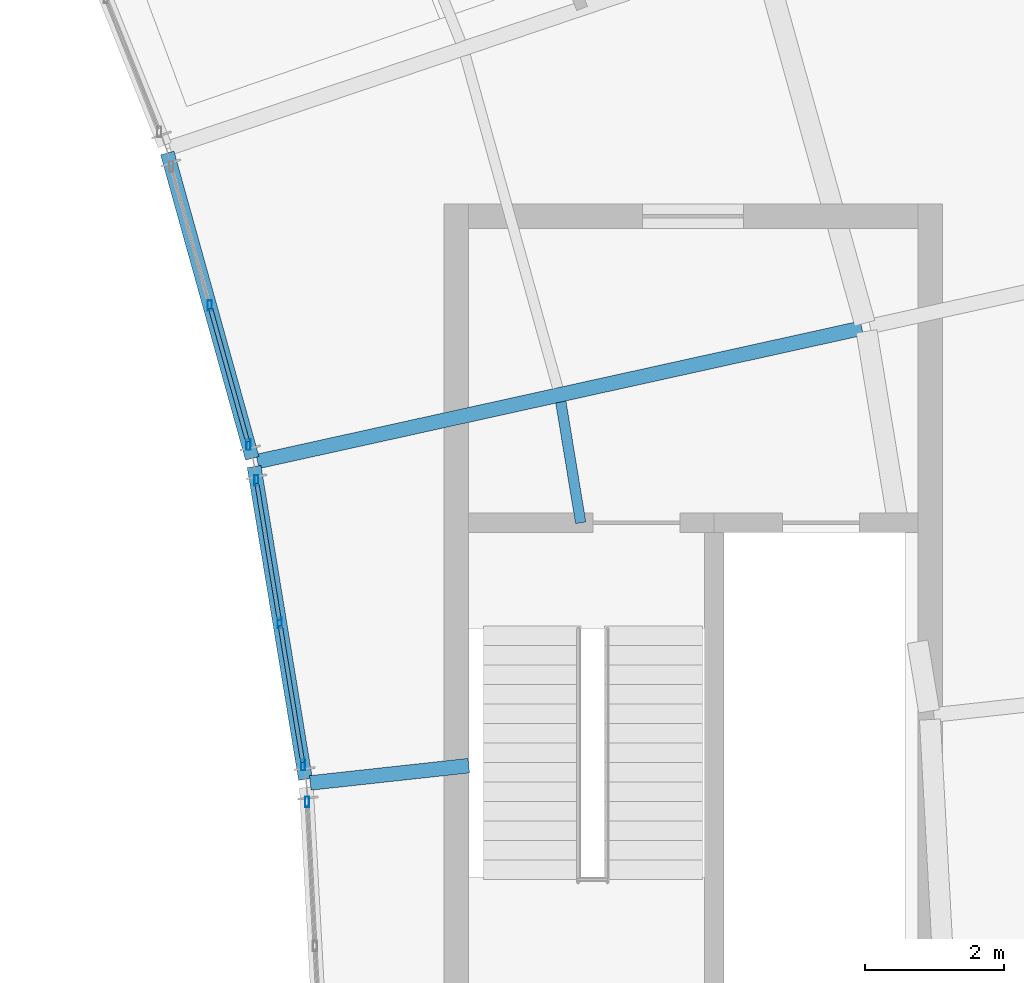
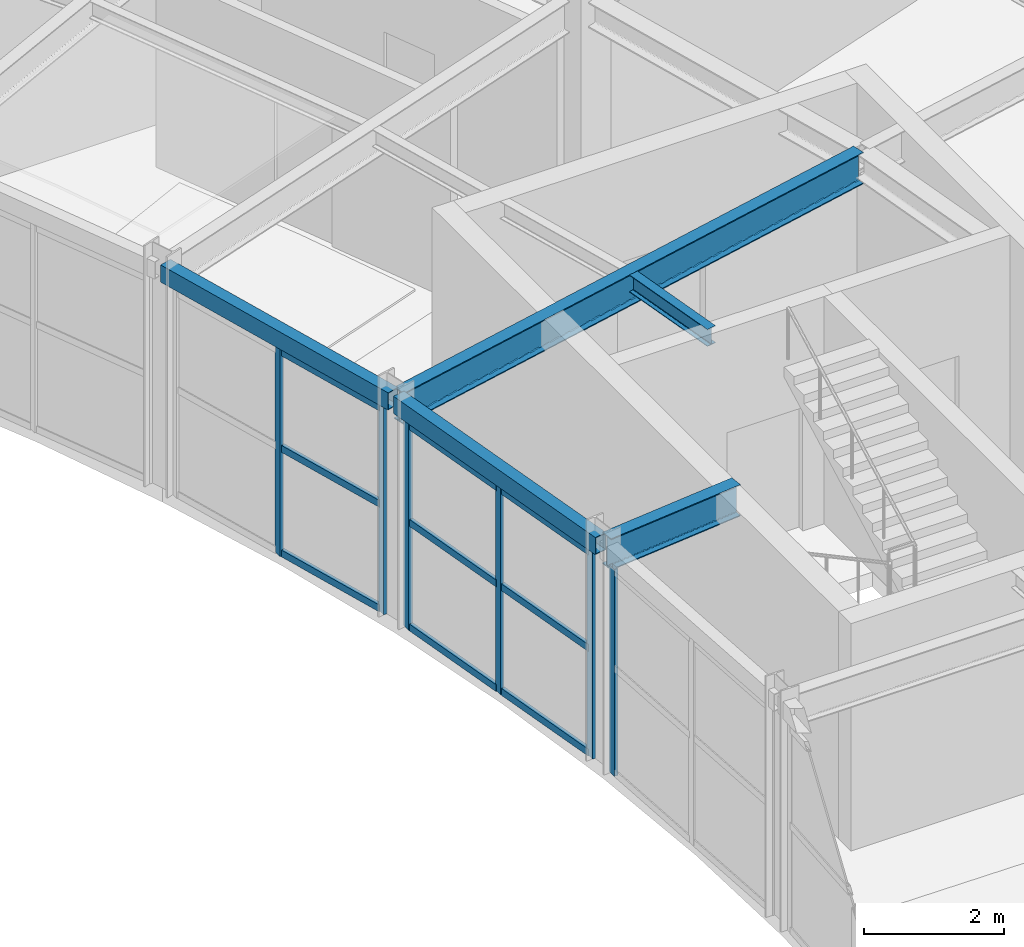
# One storey, part 31 of 63: 15 members, 5 beams, 3 elements without a shape of their own.
"""IFC4 building model written with IfcOpenShell, lengths in metres."""

from ifc_helpers import new_model, si_unit, direction, frame, origin, origin_2d, place, context, subcontext, project, spatial, hollow_rectangle, i_section, extrude, material, material_profile, profile_set, type_object, element, aggregate, save


model = new_model("IFC4")

# Units and contexts
model_context = context("Model", 3, precision=1e-05, world=origin(), true_north=direction((0.0, 1.0)))
body_context = subcontext(model_context, "Body", "Model", "MODEL_VIEW")
ifc_project = project(units=[si_unit("LENGTHUNIT", "METRE"), si_unit("AREAUNIT", "SQUARE_METRE"), si_unit("VOLUMEUNIT", "CUBIC_METRE"), si_unit("PLANEANGLEUNIT", "RADIAN"), si_unit("MASSUNIT", "GRAM", prefix="KILO")], contexts=[model_context])

# Site, building, storey
site_placement = place(None, origin())
site = spatial("IfcSite", under=ifc_project, at=site_placement, CompositionType="ELEMENT")
building_placement = place(site_placement, origin())
building = spatial("IfcBuilding", under=site, at=building_placement, Name="Tarnveldt Headland Concert Hall", CompositionType="ELEMENT")
storey_placement = place(building_placement, frame((0.0, 0.0, 14.39990234375)))
storey = spatial("IfcBuildingStorey", under=building, at=storey_placement, Name="L03", CompositionType="ELEMENT", Elevation=14.39990234375)

# Curtain wall, member
ifc_material_1 = material(Name="Marine-anodised aluminium EN AW-6063-T6", Category="aluminium")
curtain_wall_type = type_object("IfcCurtainWallType", Name="CW-C4", PredefinedType="NOTDEFINED", material=ifc_material_1)
curtain_wall_1_placement = place(storey_placement, origin())
curtain_wall_1 = element("IfcCurtainWall", 1, at=curtain_wall_1_placement, inside=storey, type_object=curtain_wall_type, Name="Curtain wall CW-L03-138", PredefinedType="NOTDEFINED")
ifc_material_profile_1 = material_profile(ifc_material_1, hollow_rectangle(XDim=0.06005859375, YDim=0.14990234375, WallThickness=0.00390625, at=origin_2d()), Name="ALU MULLION 60x150x4", Category="aluminium")
ifc_profile_set_1 = profile_set([ifc_material_profile_1], Name="Marine-anodised aluminium EN AW-6063-T6")
member_type_1 = type_object("IfcMemberType", Name="ML-150", PredefinedType="MULLION", material=ifc_profile_set_1)
member_1_placement = place(storey_placement, frame((160.260986328125, 64.39599609375, 0.0), z_axis=(0.0, 0.0, 1.0), x_axis=(1.0, 0.0, 0.0)))
member_1 = element("IfcMember", 2, at=member_1_placement, type_object=member_type_1, Name="Mullion CW-L03-138-3", PredefinedType="MULLION", context=body_context, shape_type="SweptSolid", body=[
    extrude(hollow_rectangle(XDim=0.06005859375, YDim=0.14990234375, WallThickness=0.00390625, at=origin_2d()), origin(), (0.0, 0.0, 1.0), 3.60009765625),
])
aggregate(curtain_wall_1, [member_1])

# Curtain wall, members
curtain_wall_2_placement = place(storey_placement, origin())
curtain_wall_2 = element("IfcCurtainWall", 3, at=curtain_wall_2_placement, inside=storey, type_object=curtain_wall_type, Name="Curtain wall CW-L03-139", PredefinedType="NOTDEFINED")
member_2_placement = place(storey_placement, frame((160.20361328125, 64.922119140625, 0.0), z_axis=(0.0, 0.0, 1.0), x_axis=(1.0, 0.0, 0.0)))
member_2 = element("IfcMember", 4, at=member_2_placement, type_object=member_type_1, Name="Mullion CW-L03-139-1", PredefinedType="MULLION", context=body_context, shape_type="SweptSolid", body=[
    extrude(hollow_rectangle(XDim=0.06005859375, YDim=0.14990234375, WallThickness=0.00390625, at=origin_2d()), origin(), (0.0, 0.0, 1.0), 3.60009765625),
])
member_3_placement = place(storey_placement, frame((159.8681640625, 66.96337890625, 0.0), z_axis=(0.0, 0.0, 1.0), x_axis=(1.0, 0.0, 0.0)))
member_3 = element("IfcMember", 5, at=member_3_placement, type_object=member_type_1, Name="Mullion CW-L03-139-2", PredefinedType="MULLION", context=body_context, shape_type="SweptSolid", body=[
    extrude(hollow_rectangle(XDim=0.06005859375, YDim=0.14990234375, WallThickness=0.00390625, at=origin_2d()), origin(), (0.0, 0.0, 1.0), 3.60009765625),
])
member_4_placement = place(storey_placement, frame((159.53271484375, 69.004638671875, 0.0), z_axis=(0.0, 0.0, 1.0), x_axis=(1.0, 0.0, 0.0)))
member_4 = element("IfcMember", 6, at=member_4_placement, type_object=member_type_1, Name="Mullion CW-L03-139-3", PredefinedType="MULLION", context=body_context, shape_type="SweptSolid", body=[
    extrude(hollow_rectangle(XDim=0.06005859375, YDim=0.14990234375, WallThickness=0.00390625, at=origin_2d()), origin(), (0.0, 0.0, 1.0), 3.60009765625),
])

curtain_wall_3_placement = place(storey_placement, origin())
curtain_wall_3 = element("IfcCurtainWall", 7, at=curtain_wall_3_placement, inside=storey, type_object=curtain_wall_type, Name="Curtain wall CW-L03-140", PredefinedType="NOTDEFINED")
member_5_placement = place(storey_placement, frame((159.418701171875, 69.521484375, 0.0), z_axis=(0.0, 0.0, 1.0), x_axis=(1.0, 0.0, 0.0)))
member_5 = element("IfcMember", 8, at=member_5_placement, type_object=member_type_1, Name="Mullion CW-L03-140-1", PredefinedType="MULLION", context=body_context, shape_type="SweptSolid", body=[
    extrude(hollow_rectangle(XDim=0.06005859375, YDim=0.14990234375, WallThickness=0.00390625, at=origin_2d()), origin(), (0.0, 0.0, 1.0), 3.60009765625),
])
member_6_placement = place(storey_placement, frame((158.864013671875, 71.514404296875, 0.0), z_axis=(0.0, 0.0, 1.0), x_axis=(1.0, 0.0, 0.0)))
member_6 = element("IfcMember", 9, at=member_6_placement, type_object=member_type_1, Name="Mullion CW-L03-140-2", PredefinedType="MULLION", context=body_context, shape_type="SweptSolid", body=[
    extrude(hollow_rectangle(XDim=0.06005859375, YDim=0.14990234375, WallThickness=0.00390625, at=origin_2d()), origin(), (0.0, 0.0, 1.0), 3.60009765625),
])

# Beams
ifc_material_2 = material(Name="Steel S355", Category="steel")
ifc_material_profile_2 = material_profile(ifc_material_2, i_section(OverallWidth=0.14990234375, OverallDepth=0.300048828125, WebThickness=0.007080078125, FlangeThickness=0.0107421875, FilletRadius=0.014892578125, at=origin_2d()), Name="IPE300", Category="steel")
ifc_profile_set_2 = profile_set([ifc_material_profile_2], Name="Steel S355")
beam_type_1 = type_object("IfcBeamType", Name="SB-IPE300", PredefinedType="JOIST", material=ifc_profile_set_2)
beam_1_placement = place(storey_placement, frame((164.185791015625, 68.39990234375, 3.81005859375), z_axis=(-0.162278935667, 0.986744925013, 0.0), x_axis=(-0.986744925013, -0.162278935667, 0.0)))
element("IfcBeam", 10, at=beam_1_placement, inside=storey, type_object=beam_type_1, Name="Framing beam L03-1279", PredefinedType="JOIST", context=body_context, shape_type="SweptSolid", body=[
    extrude(i_section(OverallWidth=0.14990234375, OverallDepth=0.300048828125, WebThickness=0.007080078125, FlangeThickness=0.0107421875, FilletRadius=0.014892578125, at=origin_2d()), origin(), (0.0, 0.0, 1.0), 1.755615234375),
])
ifc_material_profile_3 = material_profile(ifc_material_2, i_section(OverallWidth=0.2099609375, OverallDepth=0.550048828125, WebThickness=0.010986328125, FlangeThickness=0.01708984375, FilletRadius=0.02392578125, at=origin_2d()), Name="IPE550", Category="steel")
ifc_profile_set_3 = profile_set([ifc_material_profile_3], Name="Steel S355")
beam_type_2 = type_object("IfcBeamType", Name="SB-IPE550", PredefinedType="BEAM", material=ifc_profile_set_3)
beam_2_placement = place(storey_placement, frame((160.306396484375, 64.6669921875, 3.68505859375), z_axis=(0.994101758136, 0.108451346104, 0.0), x_axis=(-0.108451346104, 0.994101758136, 0.0)))
element("IfcBeam", 11, at=beam_2_placement, inside=storey, type_object=beam_type_2, Name="Framing beam L03-1273", PredefinedType="BEAM", context=body_context, shape_type="SweptSolid", body=[
    extrude(i_section(OverallWidth=0.2099609375, OverallDepth=0.550048828125, WebThickness=0.010986328125, FlangeThickness=0.01708984375, FilletRadius=0.02392578125, at=origin_2d()), origin(), (0.0, 0.0, 1.0), 2.287109375),
])
beam_3_placement = place(storey_placement, frame((159.54833984375, 69.279052734375, 3.68505859375), z_axis=(0.976505569656, 0.215492163268, 0.0), x_axis=(-0.215492163268, 0.976505569656, 0.0)))
element("IfcBeam", 12, at=beam_3_placement, inside=storey, type_object=beam_type_2, Name="Framing beam L03-1281", PredefinedType="BEAM", context=body_context, shape_type="SweptSolid", body=[
    extrude(i_section(OverallWidth=0.2099609375, OverallDepth=0.550048828125, WebThickness=0.010986328125, FlangeThickness=0.01708984375, FilletRadius=0.02392578125, at=origin_2d()), origin(), (0.0, 0.0, 1.0), 8.880126953125),
])
ifc_material_profile_4 = material_profile(ifc_material_2, hollow_rectangle(XDim=0.199951171875, YDim=0.300048828125, WallThickness=0.012451171875, at=origin_2d()), Name="RHS 300x200x12.5", Category="steel")
ifc_profile_set_4 = profile_set([ifc_material_profile_4], Name="Steel S355")
beam_type_3 = type_object("IfcBeamType", Name="SB-RHS300", PredefinedType="SPANDREL", material=ifc_profile_set_4)
beam_4_placement = place(storey_placement, frame((160.237060546875, 64.7197265625, 3.81005859375), z_axis=(-0.162187266023, 0.986759996524, 0.0), x_axis=(-0.986759996524, -0.162187266023, 0.0)))
element("IfcBeam", 13, at=beam_4_placement, inside=storey, type_object=beam_type_3, Name="Framing beam L03-1275", PredefinedType="SPANDREL", context=body_context, shape_type="SweptSolid", body=[
    extrude(hollow_rectangle(XDim=0.199951171875, YDim=0.300048828125, WallThickness=0.012451171875, at=origin_2d()), origin(), (0.0, 0.0, 1.0), 4.547607421875),
])
beam_5_placement = place(storey_placement, frame((159.4736328125, 69.323974609375, 3.81005859375), z_axis=(-0.268169932327, 0.963371624761, 0.0), x_axis=(-0.963371624761, -0.268169932327, 0.0)))
element("IfcBeam", 14, at=beam_5_placement, inside=storey, type_object=beam_type_3, Name="Framing beam L03-1283", PredefinedType="SPANDREL", context=body_context, shape_type="SweptSolid", body=[
    extrude(hollow_rectangle(XDim=0.199951171875, YDim=0.300048828125, WallThickness=0.012451171875, at=origin_2d()), origin(), (0.0, 0.0, 1.0), 4.54736328125),
])

# Member
ifc_material_profile_5 = material_profile(ifc_material_1, hollow_rectangle(XDim=0.06005859375, YDim=0.1201171875, WallThickness=0.00390625, at=origin_2d()), Name="ALU TRANSOM 60x120x4", Category="aluminium")
ifc_profile_set_5 = profile_set([ifc_material_profile_5], Name="Marine-anodised aluminium EN AW-6063-T6")
member_type_2 = type_object("IfcMemberType", Name="TR-110", PredefinedType="MEMBER", material=ifc_profile_set_5)
member_7_placement = place(storey_placement, frame((160.197021484375, 64.96337890625, 0.050048828125), z_axis=(-0.162224645489, 0.986753851979, 0.0), x_axis=(-0.986753851979, -0.162224645489, 0.0)))
member_7 = element("IfcMember", 15, at=member_7_placement, type_object=member_type_2, Name="Transom CW-L03-139-1-1", PredefinedType="MEMBER", context=body_context, shape_type="SweptSolid", body=[
    extrude(hollow_rectangle(XDim=0.06005859375, YDim=0.1201171875, WallThickness=0.00390625, at=origin_2d()), origin(), (0.0, 0.0, 1.0), 1.985107421875),
])

member_8_placement = place(storey_placement, frame((160.197021484375, 64.96337890625, 1.8720703125), z_axis=(-0.162224645489, 0.986753851979, 0.0), x_axis=(-0.986753851979, -0.162224645489, 0.0)))
member_8 = element("IfcMember", 16, at=member_8_placement, type_object=member_type_2, Name="Transom CW-L03-139-1-2", PredefinedType="MEMBER", context=body_context, shape_type="SweptSolid", body=[
    extrude(hollow_rectangle(XDim=0.06005859375, YDim=0.1201171875, WallThickness=0.00390625, at=origin_2d()), origin(), (0.0, 0.0, 1.0), 1.985107421875),
])

member_9_placement = place(storey_placement, frame((160.197021484375, 64.96337890625, 3.550048828125), z_axis=(-0.162224645489, 0.986753851979, 0.0), x_axis=(-0.986753851979, -0.162224645489, 0.0)))
member_9 = element("IfcMember", 17, at=member_9_placement, type_object=member_type_2, Name="Transom CW-L03-139-1-3", PredefinedType="MEMBER", context=body_context, shape_type="SweptSolid", body=[
    extrude(hollow_rectangle(XDim=0.06005859375, YDim=0.1201171875, WallThickness=0.00390625, at=origin_2d()), origin(), (0.0, 0.0, 1.0), 1.985107421875),
])

member_10_placement = place(storey_placement, frame((159.861328125, 67.0048828125, 0.050048828125), z_axis=(-0.162124564427, 0.986770300328, 0.0), x_axis=(-0.986770300328, -0.162124564427, 0.0)))
member_10 = element("IfcMember", 18, at=member_10_placement, type_object=member_type_2, Name="Transom CW-L03-139-2-1", PredefinedType="MEMBER", context=body_context, shape_type="SweptSolid", body=[
    extrude(hollow_rectangle(XDim=0.06005859375, YDim=0.1201171875, WallThickness=0.00390625, at=origin_2d()), origin(), (0.0, 0.0, 1.0), 1.98486328125),
])

member_11_placement = place(storey_placement, frame((159.861328125, 67.0048828125, 1.8720703125), z_axis=(-0.162124564427, 0.986770300328, 0.0), x_axis=(-0.986770300328, -0.162124564427, 0.0)))
member_11 = element("IfcMember", 19, at=member_11_placement, type_object=member_type_2, Name="Transom CW-L03-139-2-2", PredefinedType="MEMBER", context=body_context, shape_type="SweptSolid", body=[
    extrude(hollow_rectangle(XDim=0.06005859375, YDim=0.1201171875, WallThickness=0.00390625, at=origin_2d()), origin(), (0.0, 0.0, 1.0), 1.98486328125),
])

member_12_placement = place(storey_placement, frame((159.861328125, 67.0048828125, 3.550048828125), z_axis=(-0.162124564427, 0.986770300328, 0.0), x_axis=(-0.986770300328, -0.162124564427, 0.0)))
member_12 = element("IfcMember", 20, at=member_12_placement, type_object=member_type_2, Name="Transom CW-L03-139-2-3", PredefinedType="MEMBER", context=body_context, shape_type="SweptSolid", body=[
    extrude(hollow_rectangle(XDim=0.06005859375, YDim=0.1201171875, WallThickness=0.00390625, at=origin_2d()), origin(), (0.0, 0.0, 1.0), 1.98486328125),
])

aggregate(curtain_wall_2, [member_2, member_3, member_4, member_7, member_8, member_9, member_10, member_11, member_12])

member_13_placement = place(storey_placement, frame((159.4072265625, 69.56201171875, 0.050048828125), z_axis=(-0.268037189163, 0.963408566095, 0.0), x_axis=(-0.963408566095, -0.268037189163, 0.0)))
member_13 = element("IfcMember", 21, at=member_13_placement, type_object=member_type_2, Name="Transom CW-L03-140-1-1", PredefinedType="MEMBER", context=body_context, shape_type="SweptSolid", body=[
    extrude(hollow_rectangle(XDim=0.06005859375, YDim=0.1201171875, WallThickness=0.00390625, at=origin_2d()), origin(), (0.0, 0.0, 1.0), 1.984619140625),
])

member_14_placement = place(storey_placement, frame((159.4072265625, 69.56201171875, 1.8720703125), z_axis=(-0.268037189163, 0.963408566095, 0.0), x_axis=(-0.963408566095, -0.268037189163, 0.0)))
member_14 = element("IfcMember", 22, at=member_14_placement, type_object=member_type_2, Name="Transom CW-L03-140-1-2", PredefinedType="MEMBER", context=body_context, shape_type="SweptSolid", body=[
    extrude(hollow_rectangle(XDim=0.06005859375, YDim=0.1201171875, WallThickness=0.00390625, at=origin_2d()), origin(), (0.0, 0.0, 1.0), 1.984619140625),
])

member_15_placement = place(storey_placement, frame((159.4072265625, 69.56201171875, 3.550048828125), z_axis=(-0.268037189163, 0.963408566095, 0.0), x_axis=(-0.963408566095, -0.268037189163, 0.0)))
member_15 = element("IfcMember", 23, at=member_15_placement, type_object=member_type_2, Name="Transom CW-L03-140-1-3", PredefinedType="MEMBER", context=body_context, shape_type="SweptSolid", body=[
    extrude(hollow_rectangle(XDim=0.06005859375, YDim=0.1201171875, WallThickness=0.00390625, at=origin_2d()), origin(), (0.0, 0.0, 1.0), 1.984619140625),
])

aggregate(curtain_wall_3, [member_5, member_6, member_13, member_14, member_15])

save(model, "model.ifc")
